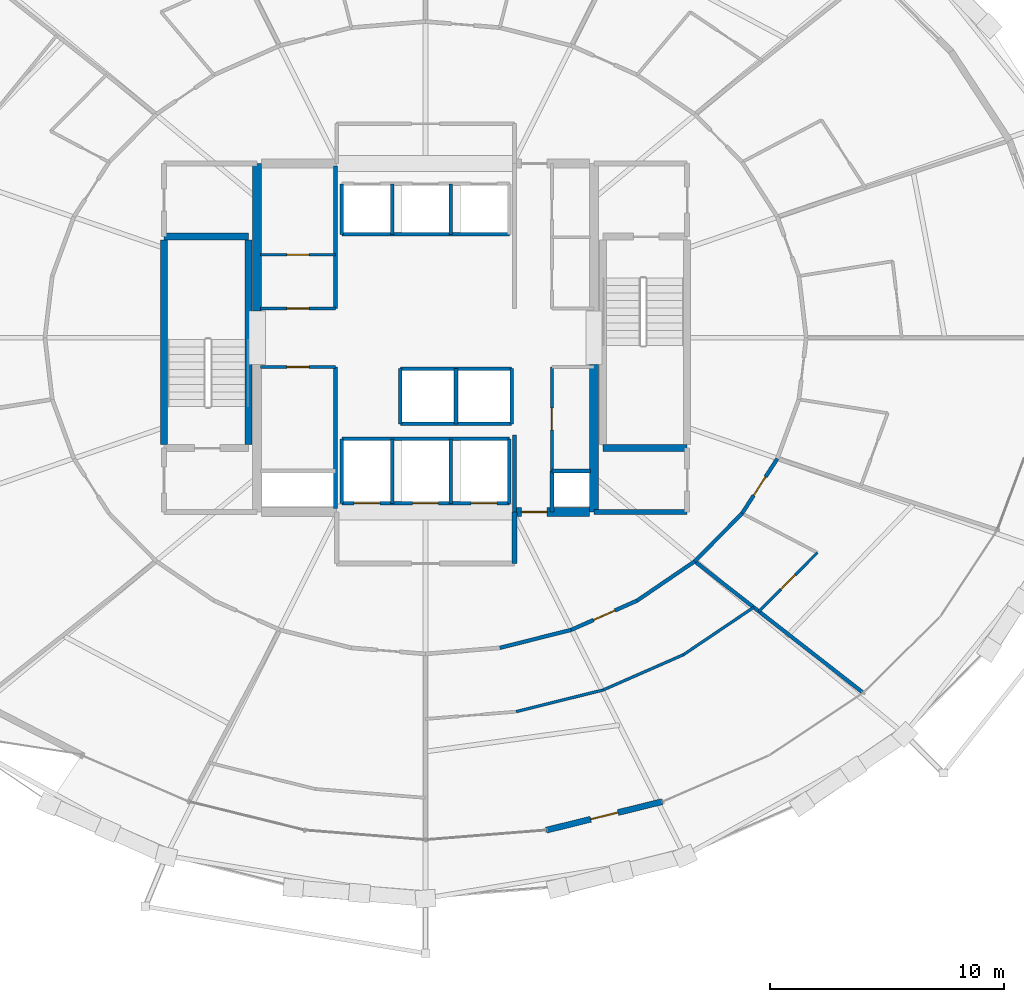
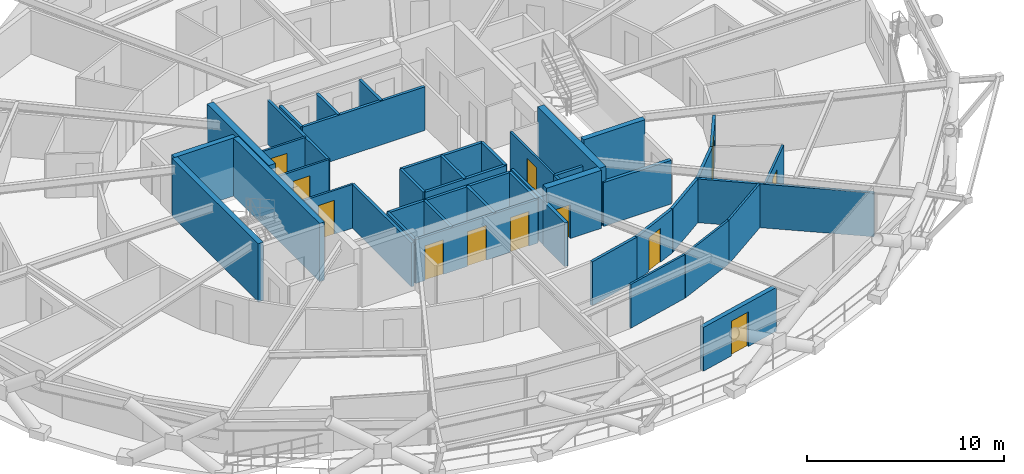
# One storey, part 14 of 20: 44 walls, 12 doors, 12 openings.
"""IFC4 building model written with IfcOpenShell, lengths in metres."""

from ifc_helpers import new_model, si_unit, direction, frame, frame_2d, origin, place, context, subcontext, project, spatial, rectangle, extrude, material, layer, layer_set, type_object, element, fill, save


model = new_model("IFC4")

# Units and contexts
model_context = context("Model", 3, precision=1e-05, world=origin(), true_north=direction((0.0, 1.0)))
body_context = subcontext(model_context, "Body", "Model", "MODEL_VIEW")
ifc_project = project(units=[si_unit("LENGTHUNIT", "METRE"), si_unit("AREAUNIT", "SQUARE_METRE"), si_unit("VOLUMEUNIT", "CUBIC_METRE"), si_unit("PLANEANGLEUNIT", "RADIAN"), si_unit("MASSUNIT", "GRAM", prefix="KILO")], contexts=[model_context])

# Site, building, storey
site_placement = place(None, origin())
site = spatial("IfcSite", under=ifc_project, at=site_placement, CompositionType="ELEMENT")
building_placement = place(site_placement, origin())
building = spatial("IfcBuilding", under=site, at=building_placement, Name="Veldorina Hangang Commons", CompositionType="ELEMENT")
storey_placement = place(building_placement, frame((0.0, 0.0, 84.39990234375)))
storey = spatial("IfcBuildingStorey", under=building, at=storey_placement, Name="L21", CompositionType="ELEMENT", Elevation=84.39990234375)

# Walls
ifc_material_1 = material(Name="Concrete C70/85", Category="concrete")
ifc_layer_1 = layer(ifc_material_1, 0.3798828125)
ifc_layer_set_1 = layer_set([ifc_layer_1], Name="Concrete C70/85")
wall_type_1 = type_object("IfcWallType", Name="CW-RC380-C70", PredefinedType="SHEAR", material=ifc_layer_set_1)
for number, where, z_axis, x_axis, name in (
    (1, (24.800048828125, 25.14990234375, 0.0), (0.0, 0.0, 1.0), (0.0, 1.0, 0.0), "L21 W north core shear wall"),
    (2, (39.199951171875, 16.550048828125, 0.0), (0.0, 0.0, 1.0), (0.0, 1.0, 0.0), "L21 E south core shear wall"),
):
    element("IfcWall", number, at=place(storey_placement, frame(where, z_axis=z_axis, x_axis=x_axis)), inside=storey, type_object=wall_type_1, Name=name, PredefinedType="SHEAR", context=body_context, shape_type="SweptSolid", body=[
        extrude(rectangle(XDim=6.300048828125, YDim=0.3798828125, at=frame_2d((3.14990234375, 0.0))), origin(), (0.0, 0.0, 1.0), 3.60009765625),
    ])

# Wall, opening, door
wall_1_placement = place(storey_placement, frame((35.800048828125, 16.550048828125, 0.0), z_axis=(0.0, 0.0, 1.0), x_axis=(1.0, 0.0, 0.0)))
wall_1 = element("IfcWall", 3, at=wall_1_placement, inside=storey, type_object=wall_type_1, Name="L21 south-east core shear wall", PredefinedType="SHEAR", context=body_context, shape_type="SweptSolid", body=[
    extrude(rectangle(XDim=3.2099609375, YDim=0.3798828125, at=frame_2d((1.60498046875, 0.0))), origin(), (0.0, 0.0, 1.0), 3.60009765625),
])
opening_1_placement = place(wall_1_placement, frame((0.300048828125, 0.0, 0.0)))
opening_1 = element("IfcOpeningElement", 4, at=opening_1_placement, cuts=wall_1, Name="Opening D-08", PredefinedType="OPENING", context=body_context, shape_type="SweptSolid", body=[
    extrude(rectangle(XDim=1.10009765625, YDim=2.10009765625, at=frame_2d((0.550048828125, 1.050048828125))), frame((0.0, 0.199951171875, 0.0), z_axis=(0.0, -1.0, 0.0), x_axis=(1.0, 0.0, 0.0)), (0.0, 0.0, 1.0), 0.39990234375),
])
ifc_material_2 = material(Name="Steel Fire-Rated Smoke Seal", Category="steel")
door_type_1 = type_object("IfcDoorType", Name="DR-FIRE-1100", OperationType="SINGLE_SWING_RIGHT", PredefinedType="DOOR", material=ifc_material_2)
door_1_placement = place(opening_1_placement, origin())
door_1 = element("IfcDoor", 5, at=door_1_placement, inside=storey, type_object=door_type_1, Name="L21 central lift lobby south corridor door", OperationType="SINGLE_SWING_RIGHT", OverallHeight=2.10009765625, OverallWidth=1.10009765625, PredefinedType="DOOR", context=body_context, shape_type="SweptSolid", body=[
    extrude(rectangle(XDim=1.10009765625, YDim=2.10009765625, at=frame_2d((0.550048828125, 1.050048828125))), frame((0.0, 0.02490234375, 0.0), z_axis=(0.0, -1.0, 0.0), x_axis=(1.0, 0.0, 0.0)), (0.0, 0.0, 1.0), 0.050048828125),
])
fill(opening_1, door_1)

ifc_material_3 = material(Name="Stone Roman Travertine", Category="masonry")
ifc_layer_2 = layer(ifc_material_3, 0.260009765625)
ifc_layer_set_2 = layer_set([ifc_layer_2], Name="Stone Roman Travertine")
wall_type_2 = type_object("IfcWallType", Name="EW-LOGGIA-260", PredefinedType="STANDARD", material=ifc_layer_set_2)
wall_2_placement = place(storey_placement, frame((37.161865234375, 2.947021484375, 0.0), z_axis=(0.0, 0.0, 1.0), x_axis=(0.971021017894, 0.238994106219, 0.0)))
wall_2 = element("IfcWall", 6, at=wall_2_placement, inside=storey, type_object=wall_type_2, Name="L21 sky-garden loggia portal wall 25", PredefinedType="STANDARD", context=body_context, shape_type="SweptSolid", body=[
    extrude(rectangle(XDim=5.11181640625, YDim=0.260009765625, at=frame_2d((2.555908203125, 0.0))), origin(), (0.0, 0.0, 1.0), 2.710205078125),
])
opening_2_placement = place(wall_2_placement, frame((1.955810546875, 0.0, 0.0)))
opening_2 = element("IfcOpeningElement", 7, at=opening_2_placement, cuts=wall_2, Name="Opening BD-1200", PredefinedType="OPENING", context=body_context, shape_type="SweptSolid", body=[
    extrude(rectangle(XDim=1.199951171875, YDim=2.14990234375, at=frame_2d((0.60009765625, 1.074951171875))), frame((0.0, 0.14013671875, 0.0), z_axis=(0.0, -1.0, 0.0), x_axis=(1.0, 0.0, 0.0)), (0.0, 0.0, 1.0), 0.280029296875),
])
ifc_material_4 = material(Name="Glass Thermal Aluminium Frame", Category="aluminium")
door_type_2 = type_object("IfcDoorType", Name="DR-EXT-LOG1200", OperationType="SINGLE_SWING_LEFT", PredefinedType="DOOR", material=ifc_material_4)
door_2_placement = place(opening_2_placement, origin())
door_2 = element("IfcDoor", 8, at=door_2_placement, inside=storey, type_object=door_type_2, Name="L21 loggia glazed exterior door 25", OperationType="SINGLE_SWING_RIGHT", OverallHeight=2.14990234375, OverallWidth=1.199951171875, PredefinedType="DOOR", context=body_context, shape_type="SweptSolid", body=[
    extrude(rectangle(XDim=1.199951171875, YDim=2.14990234375, at=frame_2d((0.60009765625, 1.074951171875))), frame((0.0, 0.02490234375, 0.0), z_axis=(0.0, -1.0, 0.0), x_axis=(1.0, 0.0, 0.0)), (0.0, 0.0, 1.0), 0.050048828125),
])
fill(opening_2, door_2)

# Walls
ifc_material_5 = material(Name="Concrete C50/60", Category="concrete")
ifc_layer_3 = layer(ifc_material_5, 0.300048828125)
ifc_layer_set_3 = layer_set([ifc_layer_3], Name="Concrete C50/60")
wall_type_3 = type_object("IfcWallType", Name="SW-STAIR-300", PredefinedType="SHEAR", material=ifc_layer_set_3)
for number, where, z_axis, x_axis, name in (
    (9, (20.820068359375, 19.429931640625, 0.0), (0.0, 0.0, 1.0), (0.0, 1.0, 0.0), "L21 ST1 outer stair shear wall"),
    (10, (24.419921875, 19.429931640625, 0.0), (0.0, 0.0, 1.0), (0.0, 1.0, 0.0), "L21 ST1 inner stair shear wall"),
):
    element("IfcWall", number, at=place(storey_placement, frame(where, z_axis=z_axis, x_axis=x_axis)), inside=storey, type_object=wall_type_3, Name=name, PredefinedType="SHEAR", context=body_context, shape_type="SweptSolid", body=[
        extrude(rectangle(XDim=8.739990234375, YDim=0.300048828125, at=frame_2d((4.3701171875, 0.0))), origin(), (0.0, 0.0, 1.0), 3.60009765625),
    ])
for number, where, z_axis, x_axis, name in (
    (11, (20.820068359375, 28.320068359375, 0.0), (0.0, 0.0, 1.0), (1.0, 0.0, 0.0), "L21 ST1 north stair shear wall"),
    (12, (39.580078125, 19.280029296875, 0.0), (0.0, 0.0, 1.0), (1.0, 0.0, 0.0), "L21 ST2 south stair shear wall"),
):
    element("IfcWall", number, at=place(storey_placement, frame(where, z_axis=z_axis, x_axis=x_axis)), inside=storey, type_object=wall_type_3, Name=name, PredefinedType="SHEAR", context=body_context, shape_type="SweptSolid", body=[
        extrude(rectangle(XDim=3.599853515625, YDim=0.300048828125, at=frame_2d((1.7998046875, 0.0))), origin(), (0.0, 0.0, 1.0), 3.60009765625),
    ])
ifc_material_6 = material(Name="Gypsum Fire-Rated Twin Stud Wall", Category="gypsum")
ifc_layer_4 = layer(ifc_material_6, 0.159912109375)
ifc_layer_set_4 = layer_set([ifc_layer_4], Name="Gypsum Fire-Rated Twin Stud Wall")
wall_type_4 = type_object("IfcWallType", Name="WL-FIRE-160", PredefinedType="SOLIDWALL", material=ifc_layer_set_4)
wall_3_placement = place(storey_placement, frame((35.800048828125, 16.550048828125, 0.0), z_axis=(0.0, 0.0, 1.0), x_axis=(0.0, 1.0, 0.0)))
element("IfcWall", 13, at=wall_3_placement, inside=storey, type_object=wall_type_4, Name="L21 Lift passage SW wall 009", PredefinedType="SOLIDWALL", context=body_context, shape_type="SweptSolid", body=[
    extrude(rectangle(XDim=3.300048828125, YDim=0.159912109375, at=frame_2d((1.64990234375, 0.0))), origin(), (0.0, 0.0, 1.0), 2.710205078125),
])
wall_4_placement = place(storey_placement, frame((37.39990234375, 16.550048828125, 0.0), z_axis=(0.0, 0.0, 1.0), x_axis=(0.0, 1.0, 0.0)))
element("IfcWall", 14, at=wall_4_placement, inside=storey, type_object=wall_type_4, Name="L21 Lift passage SE stub 010", PredefinedType="SOLIDWALL", context=body_context, shape_type="SweptSolid", body=[
    extrude(rectangle(XDim=1.75, YDim=0.159912109375, at=frame_2d((0.875, 0.0))), origin(), (0.0, 0.0, 1.0), 2.710205078125),
])
wall_5_placement = place(storey_placement, frame((28.419921875, 28.419921875, 0.0), z_axis=(0.0, 0.0, 1.0), x_axis=(1.0, 0.0, 0.0)))
element("IfcWall", 15, at=wall_5_placement, inside=storey, type_object=wall_type_4, Name="L21 Low-bank rear shaft wall 016", PredefinedType="SOLIDWALL", context=body_context, shape_type="SweptSolid", body=[
    extrude(rectangle(XDim=7.16015625, YDim=0.159912109375, at=frame_2d((3.580078125, 0.0))), origin(), (0.0, 0.0, 1.0), 2.710205078125),
])
for number, where, z_axis, x_axis, name in (
    (16, (28.419921875, 28.419921875, 0.0), (0.0, 0.0, 1.0), (0.0, 1.0, 0.0), "L21 PL-L1 west shaft wall 017"),
    (17, (30.580078125, 28.419921875, 0.0), (0.0, 0.0, 1.0), (0.0, 1.0, 0.0), "L21 PL-L1 east shaft wall 018"),
    (18, (33.080078125, 28.419921875, 0.0), (0.0, 0.0, 1.0), (0.0, 1.0, 0.0), "L21 PL-L2 east shaft wall 019"),
):
    element("IfcWall", number, at=place(storey_placement, frame(where, z_axis=z_axis, x_axis=x_axis)), inside=storey, type_object=wall_type_4, Name=name, PredefinedType="SOLIDWALL", context=body_context, shape_type="SweptSolid", body=[
        extrude(rectangle(XDim=2.16015625, YDim=0.159912109375, at=frame_2d((1.080078125, 0.0))), origin(), (0.0, 0.0, 1.0), 2.710205078125),
    ])
for number, where, z_axis, x_axis, name in (
    (19, (30.919921875, 22.679931640625, 0.0), (0.0, 0.0, 1.0), (1.0, 0.0, 0.0), "L21 Shuttle-high front shaft wall 021"),
    (20, (30.919921875, 20.320068359375, 0.0), (0.0, 0.0, 1.0), (1.0, 0.0, 0.0), "L21 Shuttle-high rear shaft wall 022"),
):
    element("IfcWall", number, at=place(storey_placement, frame(where, z_axis=z_axis, x_axis=x_axis)), inside=storey, type_object=wall_type_4, Name=name, PredefinedType="SOLIDWALL", context=body_context, shape_type="SweptSolid", body=[
        extrude(rectangle(XDim=4.760009765625, YDim=0.159912109375, at=frame_2d((2.3798828125, 0.0))), origin(), (0.0, 0.0, 1.0), 2.710205078125),
    ])
for number, where, z_axis, x_axis, name in (
    (21, (30.919921875, 20.320068359375, 0.0), (0.0, 0.0, 1.0), (0.0, 1.0, 0.0), "L21 SL-1 west shaft wall 023"),
    (22, (33.300048828125, 20.320068359375, 0.0), (0.0, 0.0, 1.0), (0.0, 1.0, 0.0), "L21 SL-1 east shaft wall 024"),
    (23, (35.679931640625, 20.320068359375, 0.0), (0.0, 0.0, 1.0), (0.0, 1.0, 0.0), "L21 SL-2 east shaft wall 025"),
):
    element("IfcWall", number, at=place(storey_placement, frame(where, z_axis=z_axis, x_axis=x_axis)), inside=storey, type_object=wall_type_4, Name=name, PredefinedType="SOLIDWALL", context=body_context, shape_type="SweptSolid", body=[
        extrude(rectangle(XDim=2.35986328125, YDim=0.159912109375, at=frame_2d((1.179931640625, 0.0))), origin(), (0.0, 0.0, 1.0), 2.710205078125),
    ])

# Wall, openings, doors
wall_6_placement = place(storey_placement, frame((28.419921875, 16.919921875, 0.0), z_axis=(0.0, 0.0, 1.0), x_axis=(1.0, 0.0, 0.0)))
wall_6 = element("IfcWall", 24, at=wall_6_placement, inside=storey, type_object=wall_type_4, Name="L21 Emergency front shaft wall 026", PredefinedType="SOLIDWALL", context=body_context, shape_type="SweptSolid", body=[
    extrude(rectangle(XDim=7.16015625, YDim=0.159912109375, at=frame_2d((3.580078125, 0.0))), origin(), (0.0, 0.0, 1.0), 2.710205078125),
])
opening_3_placement = place(wall_6_placement, frame((0.530029296875, 0.0, 0.0)))
opening_3 = element("IfcOpeningElement", 25, at=opening_3_placement, cuts=wall_6, Name="Opening LD-03", PredefinedType="OPENING", context=body_context, shape_type="SweptSolid", body=[
    extrude(rectangle(XDim=1.10009765625, YDim=2.14990234375, at=frame_2d((0.550048828125, 1.074951171875))), frame((0.0, 0.08984375, 0.0), z_axis=(0.0, -1.0, 0.0), x_axis=(1.0, 0.0, 0.0)), (0.0, 0.0, 1.0), 0.179931640625),
])
opening_4_placement = place(wall_6_placement, frame((3.030029296875, 0.0, 0.0)))
opening_4 = element("IfcOpeningElement", 26, at=opening_4_placement, cuts=wall_6, Name="Opening LD-03", PredefinedType="OPENING", context=body_context, shape_type="SweptSolid", body=[
    extrude(rectangle(XDim=1.10009765625, YDim=2.14990234375, at=frame_2d((0.550048828125, 1.074951171875))), frame((0.0, 0.08984375, 0.0), z_axis=(0.0, -1.0, 0.0), x_axis=(1.0, 0.0, 0.0)), (0.0, 0.0, 1.0), 0.179931640625),
])
opening_5_placement = place(wall_6_placement, frame((5.530029296875, 0.0, 0.0)))
opening_5 = element("IfcOpeningElement", 27, at=opening_5_placement, cuts=wall_6, Name="Opening LD-03", PredefinedType="OPENING", context=body_context, shape_type="SweptSolid", body=[
    extrude(rectangle(XDim=1.10009765625, YDim=2.14990234375, at=frame_2d((0.550048828125, 1.074951171875))), frame((0.0, 0.08984375, 0.0), z_axis=(0.0, -1.0, 0.0), x_axis=(1.0, 0.0, 0.0)), (0.0, 0.0, 1.0), 0.179931640625),
])
ifc_material_7 = material(Name="Stainless Steel Firefighting Lift Door", Category="steel")
door_type_3 = type_object("IfcDoorType", Name="DR-LIFT-FF1100", OperationType="SLIDING_TO_RIGHT", PredefinedType="DOOR", material=ifc_material_7)
door_3_placement = place(opening_3_placement, origin())
door_3 = element("IfcDoor", 28, at=door_3_placement, inside=storey, type_object=door_type_3, Name="L21 Emergency lift FFL-1 landing door 009", OperationType="SLIDING_TO_RIGHT", OverallHeight=2.14990234375, OverallWidth=1.10009765625, PredefinedType="DOOR", context=body_context, shape_type="SweptSolid", body=[
    extrude(rectangle(XDim=1.10009765625, YDim=2.14990234375, at=frame_2d((0.550048828125, 1.074951171875))), frame((0.0, 0.02490234375, 0.0), z_axis=(0.0, -1.0, 0.0), x_axis=(1.0, 0.0, 0.0)), (0.0, 0.0, 1.0), 0.050048828125),
])
fill(opening_3, door_3)
door_4_placement = place(opening_4_placement, origin())
door_4 = element("IfcDoor", 29, at=door_4_placement, inside=storey, type_object=door_type_3, Name="L21 Emergency lift FFL-2 landing door 010", OperationType="SLIDING_TO_RIGHT", OverallHeight=2.14990234375, OverallWidth=1.10009765625, PredefinedType="DOOR", context=body_context, shape_type="SweptSolid", body=[
    extrude(rectangle(XDim=1.10009765625, YDim=2.14990234375, at=frame_2d((0.550048828125, 1.074951171875))), frame((0.0, 0.02490234375, 0.0), z_axis=(0.0, -1.0, 0.0), x_axis=(1.0, 0.0, 0.0)), (0.0, 0.0, 1.0), 0.050048828125),
])
fill(opening_4, door_4)
door_5_placement = place(opening_5_placement, origin())
door_5 = element("IfcDoor", 30, at=door_5_placement, inside=storey, type_object=door_type_3, Name="L21 Emergency lift EVL-1 landing door 011", OperationType="SLIDING_TO_RIGHT", OverallHeight=2.14990234375, OverallWidth=1.10009765625, PredefinedType="DOOR", context=body_context, shape_type="SweptSolid", body=[
    extrude(rectangle(XDim=1.10009765625, YDim=2.14990234375, at=frame_2d((0.550048828125, 1.074951171875))), frame((0.0, 0.02490234375, 0.0), z_axis=(0.0, -1.0, 0.0), x_axis=(1.0, 0.0, 0.0)), (0.0, 0.0, 1.0), 0.050048828125),
])
fill(opening_5, door_5)

# Walls
wall_7_placement = place(storey_placement, frame((28.419921875, 19.679931640625, 0.0), z_axis=(0.0, 0.0, 1.0), x_axis=(1.0, 0.0, 0.0)))
element("IfcWall", 31, at=wall_7_placement, inside=storey, type_object=wall_type_4, Name="L21 Emergency rear shaft wall 027", PredefinedType="SOLIDWALL", context=body_context, shape_type="SweptSolid", body=[
    extrude(rectangle(XDim=7.16015625, YDim=0.159912109375, at=frame_2d((3.580078125, 0.0))), origin(), (0.0, 0.0, 1.0), 2.710205078125),
])
for number, where, z_axis, x_axis, name in (
    (32, (28.419921875, 16.919921875, 0.0), (0.0, 0.0, 1.0), (0.0, 1.0, 0.0), "L21 FFL-1 west shaft wall 028"),
    (33, (30.580078125, 16.919921875, 0.0), (0.0, 0.0, 1.0), (0.0, 1.0, 0.0), "L21 FFL-1 east shaft wall 029"),
    (34, (33.080078125, 16.919921875, 0.0), (0.0, 0.0, 1.0), (0.0, 1.0, 0.0), "L21 FFL-2 east shaft wall 030"),
    (35, (35.580078125, 16.919921875, 0.0), (0.0, 0.0, 1.0), (0.0, 1.0, 0.0), "L21 EVL-1 east shaft wall 031"),
):
    element("IfcWall", number, at=place(storey_placement, frame(where, z_axis=z_axis, x_axis=x_axis)), inside=storey, type_object=wall_type_4, Name=name, PredefinedType="SOLIDWALL", context=body_context, shape_type="SweptSolid", body=[
        extrude(rectangle(XDim=2.760009765625, YDim=0.159912109375, at=frame_2d((1.3798828125, 0.0))), origin(), (0.0, 0.0, 1.0), 2.710205078125),
    ])
wall_8_placement = place(storey_placement, frame((28.14990234375, 16.699951171875, 0.0), z_axis=(0.0, 0.0, 1.0), x_axis=(0.0, 1.0, 0.0)))
element("IfcWall", 36, at=wall_8_placement, inside=storey, type_object=wall_type_4, Name="L21 SW core inner wall 036", PredefinedType="SOLIDWALL", context=body_context, shape_type="SweptSolid", body=[
    extrude(rectangle(XDim=6.050048828125, YDim=0.159912109375, at=frame_2d((3.02490234375, 0.0))), origin(), (0.0, 0.0, 1.0), 2.710205078125),
])
wall_9_placement = place(storey_placement, frame((37.39990234375, 18.300048828125, 0.0), z_axis=(0.0, 0.0, 1.0), x_axis=(1.0, 0.0, 0.0)))
element("IfcWall", 37, at=wall_9_placement, inside=storey, type_object=wall_type_4, Name="L21 Plumbing riser wall 037", PredefinedType="SOLIDWALL", context=body_context, shape_type="SweptSolid", body=[
    extrude(rectangle(XDim=1.650146484375, YDim=0.159912109375, at=frame_2d((0.8251953125, 0.0))), origin(), (0.0, 0.0, 1.0), 2.710205078125),
])
wall_10_placement = place(storey_placement, frame((28.14990234375, 25.25, 0.0), z_axis=(0.0, 0.0, 1.0), x_axis=(0.0, 1.0, 0.0)))
element("IfcWall", 38, at=wall_10_placement, inside=storey, type_object=wall_type_4, Name="L21 NW core inner wall 038", PredefinedType="SOLIDWALL", context=body_context, shape_type="SweptSolid", body=[
    extrude(rectangle(XDim=6.10009765625, YDim=0.159912109375, at=frame_2d((3.050048828125, 0.0))), origin(), (0.0, 0.0, 1.0), 2.710205078125),
])
wall_11_placement = place(storey_placement, frame((35.1748046875, 10.74169921875, 0.0), z_axis=(0.0, 0.0, 1.0), x_axis=(0.969689238064, 0.244341526521, 0.0)))
element("IfcWall", 39, at=wall_11_placement, inside=storey, type_object=wall_type_4, Name="L21 Corridor outer wall 25 072", PredefinedType="SOLIDWALL", context=body_context, shape_type="SweptSolid", body=[
    extrude(rectangle(XDim=3.1484375, YDim=0.159912109375, at=frame_2d((1.57421875, 0.0))), origin(), (0.0, 0.0, 1.0), 2.710205078125),
])

# Wall, opening, door
wall_12_placement = place(storey_placement, frame((38.227783203125, 11.510986328125, 0.0), z_axis=(0.0, 0.0, 1.0), x_axis=(0.913952123493, 0.405822024984, 0.0)))
wall_12 = element("IfcWall", 40, at=wall_12_placement, inside=storey, type_object=wall_type_4, Name="L21 Corridor outer wall 26 073", PredefinedType="SOLIDWALL", context=body_context, shape_type="SweptSolid", body=[
    extrude(rectangle(XDim=3.078369140625, YDim=0.159912109375, at=frame_2d((1.5390625, 0.0))), origin(), (0.0, 0.0, 1.0), 2.710205078125),
])
opening_6_placement = place(wall_12_placement, frame((1.039306640625, 0.0, 0.0)))
opening_6 = element("IfcOpeningElement", 41, at=opening_6_placement, cuts=wall_12, Name="Opening D-05", PredefinedType="OPENING", context=body_context, shape_type="SweptSolid", body=[
    extrude(rectangle(XDim=1.0, YDim=2.10009765625, at=frame_2d((0.5, 1.050048828125))), frame((0.0, 0.08984375, 0.0), z_axis=(0.0, -1.0, 0.0), x_axis=(1.0, 0.0, 0.0)), (0.0, 0.0, 1.0), 0.179931640625),
])
ifc_material_8 = material(Name="Timber Solid Core Acoustic", Category="wood")
door_type_4 = type_object("IfcDoorType", Name="DR-INT-1000", OperationType="SINGLE_SWING_RIGHT", PredefinedType="DOOR", material=ifc_material_8)
door_6_placement = place(opening_6_placement, origin())
door_6 = element("IfcDoor", 42, at=door_6_placement, inside=storey, type_object=door_type_4, Name="L21 Commons alcove door 019", OperationType="SINGLE_SWING_LEFT", OverallHeight=2.10009765625, OverallWidth=1.0, PredefinedType="DOOR", context=body_context, shape_type="SweptSolid", body=[
    extrude(rectangle(XDim=1.0, YDim=2.10009765625, at=frame_2d((0.5, 1.050048828125))), frame((0.0, 0.02490234375, 0.0), z_axis=(0.0, -1.0, 0.0), x_axis=(1.0, 0.0, 0.0)), (0.0, 0.0, 1.0), 0.050048828125),
])
fill(opening_6, door_6)

# Walls
wall_13_placement = place(storey_placement, frame((41.041259765625, 12.76025390625, 0.0), z_axis=(0.0, 0.0, 1.0), x_axis=(0.826293096206, 0.56324037423, 0.0)))
element("IfcWall", 43, at=wall_13_placement, inside=storey, type_object=wall_type_4, Name="L21 Corridor outer wall 27 074", PredefinedType="SOLIDWALL", context=body_context, shape_type="SweptSolid", body=[
    extrude(rectangle(XDim=2.98486328125, YDim=0.159912109375, at=frame_2d((1.492431640625, 0.0))), origin(), (0.0, 0.0, 1.0), 2.710205078125),
])
wall_14_placement = place(storey_placement, frame((43.507568359375, 14.44140625, 0.0), z_axis=(0.0, 0.0, 1.0), x_axis=(0.702811997, 0.711375636969, 0.0)))
element("IfcWall", 44, at=wall_14_placement, inside=storey, type_object=wall_type_4, Name="L21 Corridor outer wall 28 075", PredefinedType="SOLIDWALL", context=body_context, shape_type="SweptSolid", body=[
    extrude(rectangle(XDim=2.87939453125, YDim=0.159912109375, at=frame_2d((1.439697265625, 0.0))), origin(), (0.0, 0.0, 1.0), 2.710205078125),
])

# Wall, opening, door
wall_15_placement = place(storey_placement, frame((45.53125, 16.48974609375, 0.0), z_axis=(0.0, 0.0, 1.0), x_axis=(0.541126045017, 0.840941498206, 0.0)))
wall_15 = element("IfcWall", 45, at=wall_15_placement, inside=storey, type_object=wall_type_4, Name="L21 Corridor outer wall 29 076", PredefinedType="SOLIDWALL", context=body_context, shape_type="SweptSolid", body=[
    extrude(rectangle(XDim=2.779296875, YDim=0.159912109375, at=frame_2d((1.3896484375, 0.0))), origin(), (0.0, 0.0, 1.0), 2.710205078125),
])
opening_7_placement = place(wall_15_placement, frame((0.91455078125, 0.0, 0.0)))
opening_7 = element("IfcOpeningElement", 46, at=opening_7_placement, cuts=wall_15, Name="Opening D-03", PredefinedType="OPENING", context=body_context, shape_type="SweptSolid", body=[
    extrude(rectangle(XDim=0.949951171875, YDim=2.10009765625, at=frame_2d((0.47509765625, 1.050048828125))), frame((0.0, 0.08984375, 0.0), z_axis=(0.0, -1.0, 0.0), x_axis=(1.0, 0.0, 0.0)), (0.0, 0.0, 1.0), 0.179931640625),
])
ifc_material_9 = material(Name="Timber Fire-Rated Entrance Core", Category="wood")
door_type_5 = type_object("IfcDoorType", Name="DR-UNIT-950", OperationType="SINGLE_SWING_RIGHT", PredefinedType="DOOR", material=ifc_material_9)
door_7_placement = place(opening_7_placement, origin())
door_7 = element("IfcDoor", 47, at=door_7_placement, inside=storey, type_object=door_type_5, Name="L21 Studio 2 entrance door 022", OperationType="SINGLE_SWING_RIGHT", OverallHeight=2.10009765625, OverallWidth=0.949951171875, PredefinedType="DOOR", context=body_context, shape_type="SweptSolid", body=[
    extrude(rectangle(XDim=0.949951171875, YDim=2.10009765625, at=frame_2d((0.47509765625, 1.050048828125))), frame((0.0, 0.02490234375, 0.0), z_axis=(0.0, -1.0, 0.0), x_axis=(1.0, 0.0, 0.0)), (0.0, 0.0, 1.0), 0.050048828125),
])
fill(opening_7, door_7)

# Walls
wall_16_placement = place(storey_placement, frame((43.507568359375, 14.44140625, 0.0), z_axis=(0.0, 0.0, 1.0), x_axis=(0.788383175701, -0.615184499375, 0.0)))
element("IfcWall", 48, at=wall_16_placement, inside=storey, type_object=wall_type_4, Name="L21 Unit party wall 28 084", PredefinedType="SOLIDWALL", context=body_context, shape_type="SweptSolid", body=[
    extrude(rectangle(XDim=9.0849609375, YDim=0.159912109375, at=frame_2d((4.54248046875, 0.0))), origin(), (0.0, 0.0, 1.0), 2.710205078125),
])
ifc_material_10 = material(Name="Concrete Blockwork Fire Wall C30/37", Category="masonry")
ifc_layer_5 = layer(ifc_material_10, 0.199951171875)
ifc_layer_set_5 = layer_set([ifc_layer_5], Name="Concrete Blockwork Fire Wall C30/37")
wall_type_5 = type_object("IfcWallType", Name="WL-FIRE-200", PredefinedType="SOLIDWALL", material=ifc_layer_set_5)
wall_17_placement = place(storey_placement, frame((39.199951171875, 16.550048828125, 0.0), z_axis=(0.0, 0.0, 1.0), x_axis=(1.0, 0.0, 0.0)))
element("IfcWall", 49, at=wall_17_placement, inside=storey, type_object=wall_type_5, Name="L21 SE core room south wall 008", PredefinedType="SOLIDWALL", context=body_context, shape_type="SweptSolid", body=[
    extrude(rectangle(XDim=3.97998046875, YDim=0.199951171875, at=frame_2d((1.989990234375, 0.0))), origin(), (0.0, 0.0, 1.0), 2.710205078125),
])
wall_18_placement = place(storey_placement, frame((35.800048828125, 14.35009765625, 0.0), z_axis=(0.0, 0.0, 1.0), x_axis=(0.0, 1.0, 0.0)))
element("IfcWall", 50, at=wall_18_placement, inside=storey, type_object=wall_type_5, Name="L21 FF lobby east wall 013", PredefinedType="SOLIDWALL", context=body_context, shape_type="SweptSolid", body=[
    extrude(rectangle(XDim=2.199951171875, YDim=0.199951171875, at=frame_2d((1.10009765625, 0.0))), origin(), (0.0, 0.0, 1.0), 2.710205078125),
])

# Wall, opening, door
ifc_material_11 = material(Name="Gypsum Acoustic Stud Partition", Category="gypsum")
ifc_layer_6 = layer(ifc_material_11, 0.1201171875)
ifc_layer_set_6 = layer_set([ifc_layer_6], Name="Gypsum Acoustic Stud Partition")
wall_type_6 = type_object("IfcWallType", Name="WL-PART-120", PredefinedType="PARTITIONING", material=ifc_layer_set_6)
wall_19_placement = place(storey_placement, frame((24.949951171875, 25.25, 0.0), z_axis=(0.0, 0.0, 1.0), x_axis=(1.0, 0.0, 0.0)))
wall_19 = element("IfcWall", 51, at=wall_19_placement, inside=storey, type_object=wall_type_6, Name="L21 NW service south wall 039", PredefinedType="PARTITIONING", context=body_context, shape_type="SweptSolid", body=[
    extrude(rectangle(XDim=3.199951171875, YDim=0.1201171875, at=frame_2d((1.60009765625, 0.0))), origin(), (0.0, 0.0, 1.0), 2.710205078125),
])
opening_8_placement = place(wall_19_placement, frame((1.125, 0.0, 0.0)))
opening_8 = element("IfcOpeningElement", 52, at=opening_8_placement, cuts=wall_19, Name="Opening D-02", PredefinedType="OPENING", context=body_context, shape_type="SweptSolid", body=[
    extrude(rectangle(XDim=0.949951171875, YDim=2.10009765625, at=frame_2d((0.47509765625, 1.050048828125))), frame((0.0, 0.070068359375, 0.0), z_axis=(0.0, -1.0, 0.0), x_axis=(1.0, 0.0, 0.0)), (0.0, 0.0, 1.0), 0.14013671875),
])
door_type_6 = type_object("IfcDoorType", Name="DR-INT-950", OperationType="SINGLE_SWING_LEFT", PredefinedType="DOOR", material=ifc_material_8)
door_8_placement = place(opening_8_placement, origin())
door_8 = element("IfcDoor", 53, at=door_8_placement, inside=storey, type_object=door_type_6, Name="L21 Housekeeping pantry door 013", OperationType="SINGLE_SWING_LEFT", OverallHeight=2.10009765625, OverallWidth=0.949951171875, PredefinedType="DOOR", context=body_context, shape_type="SweptSolid", body=[
    extrude(rectangle(XDim=0.949951171875, YDim=2.10009765625, at=frame_2d((0.47509765625, 1.050048828125))), frame((0.0, 0.02490234375, 0.0), z_axis=(0.0, -1.0, 0.0), x_axis=(1.0, 0.0, 0.0)), (0.0, 0.0, 1.0), 0.050048828125),
])
fill(opening_8, door_8)

wall_20_placement = place(storey_placement, frame((24.949951171875, 22.75, 0.0), z_axis=(0.0, 0.0, 1.0), x_axis=(1.0, 0.0, 0.0)))
wall_20 = element("IfcWall", 54, at=wall_20_placement, inside=storey, type_object=wall_type_6, Name="L21 SW service north wall 040", PredefinedType="PARTITIONING", context=body_context, shape_type="SweptSolid", body=[
    extrude(rectangle(XDim=3.199951171875, YDim=0.1201171875, at=frame_2d((1.60009765625, 0.0))), origin(), (0.0, 0.0, 1.0), 2.710205078125),
])
opening_9_placement = place(wall_20_placement, frame((1.125, 0.0, 0.0)))
opening_9 = element("IfcOpeningElement", 55, at=opening_9_placement, cuts=wall_20, Name="Opening D-02", PredefinedType="OPENING", context=body_context, shape_type="SweptSolid", body=[
    extrude(rectangle(XDim=0.949951171875, YDim=2.10009765625, at=frame_2d((0.47509765625, 1.050048828125))), frame((0.0, 0.070068359375, 0.0), z_axis=(0.0, -1.0, 0.0), x_axis=(1.0, 0.0, 0.0)), (0.0, 0.0, 1.0), 0.14013671875),
])
door_9_placement = place(opening_9_placement, origin())
door_9 = element("IfcDoor", 56, at=door_9_placement, inside=storey, type_object=door_type_6, Name="L21 Waste sorting door 015", OperationType="SINGLE_SWING_LEFT", OverallHeight=2.10009765625, OverallWidth=0.949951171875, PredefinedType="DOOR", context=body_context, shape_type="SweptSolid", body=[
    extrude(rectangle(XDim=0.949951171875, YDim=2.10009765625, at=frame_2d((0.47509765625, 1.050048828125))), frame((0.0, 0.02490234375, 0.0), z_axis=(0.0, -1.0, 0.0), x_axis=(1.0, 0.0, 0.0)), (0.0, 0.0, 1.0), 0.050048828125),
])
fill(opening_9, door_9)

wall_21_placement = place(storey_placement, frame((37.39990234375, 18.300048828125, 0.0), z_axis=(0.0, 0.0, 1.0), x_axis=(0.0, 1.0, 0.0)))
wall_21 = element("IfcWall", 57, at=wall_21_placement, inside=storey, type_object=wall_type_6, Name="L21 SE strip lobby wall 043", PredefinedType="PARTITIONING", context=body_context, shape_type="SweptSolid", body=[
    extrude(rectangle(XDim=4.449951171875, YDim=0.1201171875, at=frame_2d((2.22509765625, 0.0))), origin(), (0.0, 0.0, 1.0), 2.710205078125),
])
opening_10_placement = place(wall_21_placement, frame((1.75, 0.0, 0.0)))
opening_10 = element("IfcOpeningElement", 58, at=opening_10_placement, cuts=wall_21, Name="Opening D-02", PredefinedType="OPENING", context=body_context, shape_type="SweptSolid", body=[
    extrude(rectangle(XDim=0.949951171875, YDim=2.10009765625, at=frame_2d((0.47509765625, 1.050048828125))), frame((0.0, 0.070068359375, 0.0), z_axis=(0.0, -1.0, 0.0), x_axis=(1.0, 0.0, 0.0)), (0.0, 0.0, 1.0), 0.14013671875),
])
door_10_placement = place(opening_10_placement, origin())
door_10 = element("IfcDoor", 59, at=door_10_placement, inside=storey, type_object=door_type_6, Name="L21 Cleaners supply door 018", OperationType="SINGLE_SWING_RIGHT", OverallHeight=2.10009765625, OverallWidth=0.949951171875, PredefinedType="DOOR", context=body_context, shape_type="SweptSolid", body=[
    extrude(rectangle(XDim=0.949951171875, YDim=2.10009765625, at=frame_2d((0.47509765625, 1.050048828125))), frame((0.0, 0.02490234375, 0.0), z_axis=(0.0, -1.0, 0.0), x_axis=(1.0, 0.0, 0.0)), (0.0, 0.0, 1.0), 0.050048828125),
])
fill(opening_10, door_10)

wall_22_placement = place(storey_placement, frame((24.949951171875, 27.550048828125, 0.0), z_axis=(0.0, 0.0, 1.0), x_axis=(1.0, 0.0, 0.0)))
wall_22 = element("IfcWall", 60, at=wall_22_placement, inside=storey, type_object=wall_type_6, Name="L21 NW mid wall 045", PredefinedType="PARTITIONING", context=body_context, shape_type="SweptSolid", body=[
    extrude(rectangle(XDim=3.199951171875, YDim=0.1201171875, at=frame_2d((1.60009765625, 0.0))), origin(), (0.0, 0.0, 1.0), 2.710205078125),
])
opening_11_placement = place(wall_22_placement, frame((1.125, 0.0, 0.0)))
opening_11 = element("IfcOpeningElement", 61, at=opening_11_placement, cuts=wall_22, Name="Opening D-02", PredefinedType="OPENING", context=body_context, shape_type="SweptSolid", body=[
    extrude(rectangle(XDim=0.949951171875, YDim=2.10009765625, at=frame_2d((0.47509765625, 1.050048828125))), frame((0.0, 0.070068359375, 0.0), z_axis=(0.0, -1.0, 0.0), x_axis=(1.0, 0.0, 0.0)), (0.0, 0.0, 1.0), 0.14013671875),
])
door_11_placement = place(opening_11_placement, origin())
door_11 = element("IfcDoor", 62, at=door_11_placement, inside=storey, type_object=door_type_6, Name="L21 Bedding store door 014", OperationType="SINGLE_SWING_RIGHT", OverallHeight=2.10009765625, OverallWidth=0.949951171875, PredefinedType="DOOR", context=body_context, shape_type="SweptSolid", body=[
    extrude(rectangle(XDim=0.949951171875, YDim=2.10009765625, at=frame_2d((0.47509765625, 1.050048828125))), frame((0.0, 0.02490234375, 0.0), z_axis=(0.0, -1.0, 0.0), x_axis=(1.0, 0.0, 0.0)), (0.0, 0.0, 1.0), 0.050048828125),
])
fill(opening_11, door_11)

# Walls
wall_23_placement = place(storey_placement, frame((35.870361328125, 8.013671875, 0.0), z_axis=(0.0, 0.0, 1.0), x_axis=(0.970321959091, 0.241816657215, 0.0)))
element("IfcWall", 63, at=wall_23_placement, inside=storey, type_object=wall_type_6, Name="L21 Lounge alcove split 1 081", PredefinedType="PARTITIONING", context=body_context, shape_type="SweptSolid", body=[
    extrude(rectangle(XDim=3.83544921875, YDim=0.1201171875, at=frame_2d((1.917724609375, 0.0))), origin(), (0.0, 0.0, 1.0), 2.710205078125),
])
wall_24_placement = place(storey_placement, frame((39.592041015625, 8.941162109375, 0.0), z_axis=(0.0, 0.0, 1.0), x_axis=(0.915581997154, 0.4021313299, 0.0)))
element("IfcWall", 64, at=wall_24_placement, inside=storey, type_object=wall_type_6, Name="L21 Lounge alcove split 2 082", PredefinedType="PARTITIONING", context=body_context, shape_type="SweptSolid", body=[
    extrude(rectangle(XDim=3.745849609375, YDim=0.1201171875, at=frame_2d((1.873046875, 0.0))), origin(), (0.0, 0.0, 1.0), 2.710205078125),
])
wall_25_placement = place(storey_placement, frame((43.021728515625, 10.447509765625, 0.0), z_axis=(0.0, 0.0, 1.0), x_axis=(0.829159228311, 0.559012499061, 0.0)))
element("IfcWall", 65, at=wall_25_placement, inside=storey, type_object=wall_type_6, Name="L21 Lounge alcove split 3 083", PredefinedType="PARTITIONING", context=body_context, shape_type="SweptSolid", body=[
    extrude(rectangle(XDim=3.625732421875, YDim=0.1201171875, at=frame_2d((1.81298828125, 0.0))), origin(), (0.0, 0.0, 1.0), 2.710205078125),
])

# Wall, opening, door
wall_26_placement = place(storey_placement, frame((46.244140625, 12.305908203125, 0.0), z_axis=(0.0, 0.0, 1.0), x_axis=(0.707003430705, 0.707210116565, 0.0)))
wall_26 = element("IfcWall", 66, at=wall_26_placement, inside=storey, type_object=wall_type_6, Name="L21 Studio 2 bath front wall 085", PredefinedType="PARTITIONING", context=body_context, shape_type="SweptSolid", body=[
    extrude(rectangle(XDim=3.543701171875, YDim=0.1201171875, at=frame_2d((1.77197265625, 0.0))), origin(), (0.0, 0.0, 1.0), 2.710205078125),
])
opening_12_placement = place(wall_26_placement, frame((1.341796875, 0.0, 0.0)))
opening_12 = element("IfcOpeningElement", 67, at=opening_12_placement, cuts=wall_26, Name="Opening D-01", PredefinedType="OPENING", context=body_context, shape_type="SweptSolid", body=[
    extrude(rectangle(XDim=0.860107421875, YDim=2.10009765625, at=frame_2d((0.43017578125, 1.050048828125))), frame((0.0, 0.070068359375, 0.0), z_axis=(0.0, -1.0, 0.0), x_axis=(1.0, 0.0, 0.0)), (0.0, 0.0, 1.0), 0.14013671875),
])
ifc_material_12 = material(Name="Timber Moisture-Resistant Core", Category="wood")
door_type_7 = type_object("IfcDoorType", Name="DR-WET-860", OperationType="SINGLE_SWING_LEFT", PredefinedType="DOOR", material=ifc_material_12)
door_12_placement = place(opening_12_placement, origin())
door_12 = element("IfcDoor", 68, at=door_12_placement, inside=storey, type_object=door_type_7, Name="L21 Studio 2 bathroom door 021", OperationType="SINGLE_SWING_LEFT", OverallHeight=2.10009765625, OverallWidth=0.860107421875, PredefinedType="DOOR", context=body_context, shape_type="SweptSolid", body=[
    extrude(rectangle(XDim=0.860107421875, YDim=2.10009765625, at=frame_2d((0.43017578125, 1.050048828125))), frame((0.0, 0.02490234375, 0.0), z_axis=(0.0, -1.0, 0.0), x_axis=(1.0, 0.0, 0.0)), (0.0, 0.0, 1.0), 0.050048828125),
])
fill(opening_12, door_12)

save(model, "model.ifc")
